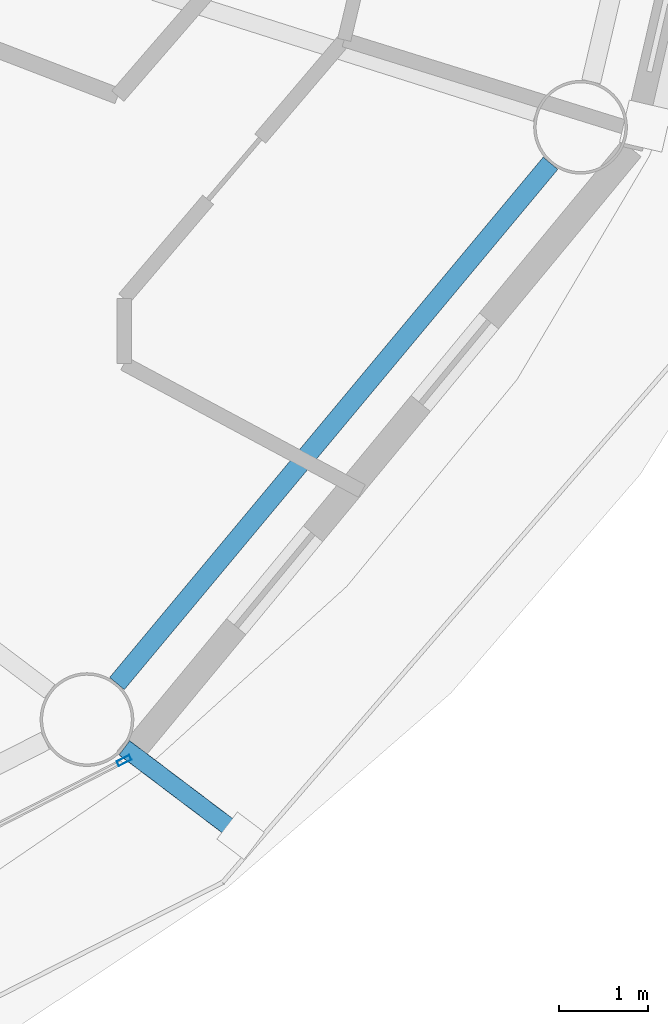
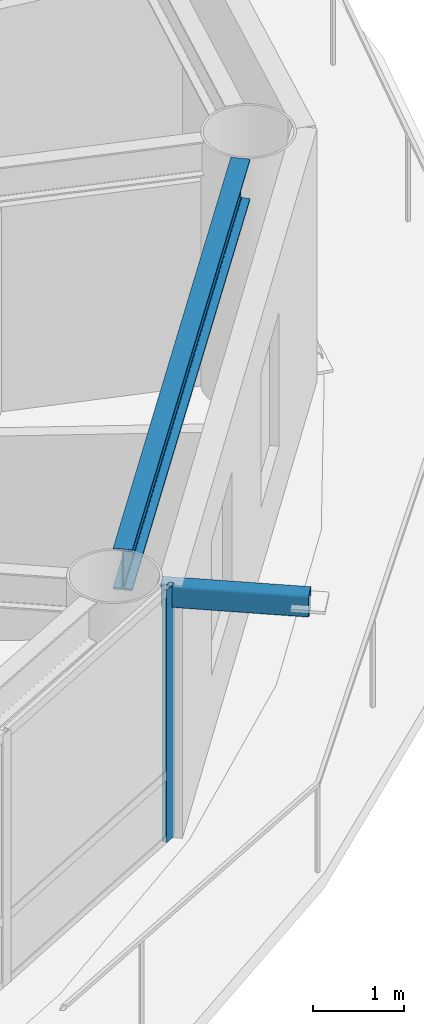
# One storey, part 7 of 28: 2 members, 1 beam, 1 element without a shape of its own.
"""IFC4 building model written with IfcOpenShell, lengths in metres."""

from ifc_helpers import new_model, si_unit, direction, frame, origin, origin_2d, place, context, subcontext, project, spatial, hollow_rectangle, i_section, extrude, material, layer, layer_set, material_profile, profile_set, type_object, element, aggregate, save


model = new_model("IFC4")

# Units and contexts
model_context = context("Model", 3, precision=1e-05, world=origin(), true_north=direction((0.0, 1.0)))
body_context = subcontext(model_context, "Body", "Model", "MODEL_VIEW")
ifc_project = project(units=[si_unit("LENGTHUNIT", "METRE"), si_unit("AREAUNIT", "SQUARE_METRE"), si_unit("VOLUMEUNIT", "CUBIC_METRE"), si_unit("PLANEANGLEUNIT", "RADIAN"), si_unit("MASSUNIT", "GRAM", prefix="KILO")], contexts=[model_context])

# Site, building, storey
site_placement = place(None, origin())
site = spatial("IfcSite", under=ifc_project, at=site_placement, CompositionType="ELEMENT")
building_placement = place(site_placement, origin())
building = spatial("IfcBuilding", under=site, at=building_placement, Name="Sarneth Arch Tower", CompositionType="ELEMENT")
storey_placement = place(building_placement, frame((0.0, 0.0, 154.199951171875)))
storey = spatial("IfcBuildingStorey", under=building, at=storey_placement, Name="L38", CompositionType="ELEMENT", Elevation=154.199951171875)

# Beam
ifc_material_1 = material(Name="Steel S355", Category="steel")
ifc_material_profile_1 = material_profile(ifc_material_1, i_section(OverallWidth=0.214111328125, OverallDepth=0.549072265625, WebThickness=0.0146484375, FlangeThickness=0.023681640625, FilletRadius=0.01806640625, at=origin_2d()), Name="W530x138")
ifc_profile_set_1 = profile_set([ifc_material_profile_1], Name="Steel S355")
beam_type = type_object("IfcBeamType", Name="BM-RAD-530A", PredefinedType="BEAM", material=ifc_profile_set_1)
beam_placement = place(storey_placement, frame((67.469970703125, 27.943115234375, 3.10546875), z_axis=(0.640171737024, 0.768231831621, 0.0), x_axis=(-0.768231831621, 0.640171737024, 0.0)))
element("IfcBeam", 1, at=beam_placement, inside=storey, type_object=beam_type, Name="L38 Perimeter spandrel beam 15", PredefinedType="BEAM", context=body_context, shape_type="SweptSolid", body=[
    extrude(i_section(OverallWidth=0.214111328125, OverallDepth=0.549072265625, WebThickness=0.0146484375, FlangeThickness=0.023681640625, FilletRadius=0.01806640625, at=origin_2d()), origin(), (0.0, 0.0, 1.0), 7.585693359375),
])

# Curtain wall, member
ifc_material_2 = material(Name="Anodised aluminium Type AA25 and solar-control low-e laminated IGU", Category="aluminium")
ifc_layer = layer(ifc_material_2, 0.169921875)
ifc_layer_set = layer_set([ifc_layer], Name="Anodised aluminium Type AA25 and solar-control low-e laminated IGU")
curtain_wall_type = type_object("IfcCurtainWallType", Name="CW-RES-MID", PredefinedType="NOTDEFINED", material=ifc_layer_set)
curtain_wall_placement = place(storey_placement, origin())
curtain_wall = element("IfcCurtainWall", 2, at=curtain_wall_placement, inside=storey, type_object=curtain_wall_type, Name="L38 Unitised curtain wall facet 14", PredefinedType="NOTDEFINED")
ifc_material_3 = material(Name="Anodised Aluminium 6063-T6", Category="aluminium")
ifc_material_profile_2 = material_profile(ifc_material_3, hollow_rectangle(XDim=0.06005859375, YDim=0.159912109375, WallThickness=0.00390625, at=origin_2d()), Name="AL-MULL-160x60x4")
ifc_profile_set_2 = profile_set([ifc_material_profile_2], Name="Anodised Aluminium 6063-T6")
member_type_1 = type_object("IfcMemberType", Name="CW-MULLION", PredefinedType="MULLION", material=ifc_profile_set_2)
member_1_placement = place(storey_placement, frame((67.549560546875, 27.08056640625, 0.0), z_axis=(0.0, 0.0, 1.0), x_axis=(-0.456208470329, 0.88987293003, 0.0)))
member_1 = element("IfcMember", 3, at=member_1_placement, type_object=member_type_1, Name="CW-SYS-5 mullion 4", PredefinedType="MULLION", context=body_context, shape_type="SweptSolid", body=[
    extrude(hollow_rectangle(XDim=0.06005859375, YDim=0.159912109375, WallThickness=0.00390625, at=origin_2d()), origin(), (0.0, 0.0, 1.0), 3.380126953125),
])
aggregate(curtain_wall, [member_1])

# Member
ifc_material_4 = material(Name="Steel S355", Category="steel")
ifc_material_profile_3 = material_profile(ifc_material_4, hollow_rectangle(XDim=0.199951171875, YDim=0.300048828125, WallThickness=0.012451171875, InnerFilletRadius=0.018798828125, OuterFilletRadius=0.03125, at=origin_2d()), Name="RHS300x200x12.5")
ifc_profile_set_3 = profile_set([ifc_material_profile_3], Name="Steel S355")
member_type_2 = type_object("IfcMemberType", Name="MEM-CANT-STRUT", PredefinedType="STRUT", material=ifc_profile_set_3)
member_2_placement = place(storey_placement, frame((67.552734375, 27.22314453125, 3.219970703125), z_axis=(0.797752277417, -0.602985326419, 0.0), x_axis=(0.602985326419, 0.797752277417, 0.0)))
element("IfcMember", 4, at=member_2_placement, inside=storey, type_object=member_type_2, Name="L38 Balcony cantilever bracket 15", PredefinedType="STRUT", context=body_context, shape_type="SweptSolid", body=[
    extrude(hollow_rectangle(XDim=0.199951171875, YDim=0.300048828125, WallThickness=0.012451171875, InnerFilletRadius=0.018798828125, OuterFilletRadius=0.03125, at=origin_2d()), origin(), (0.0, 0.0, 1.0), 1.63330078125),
])

save(model, "model.ifc")
